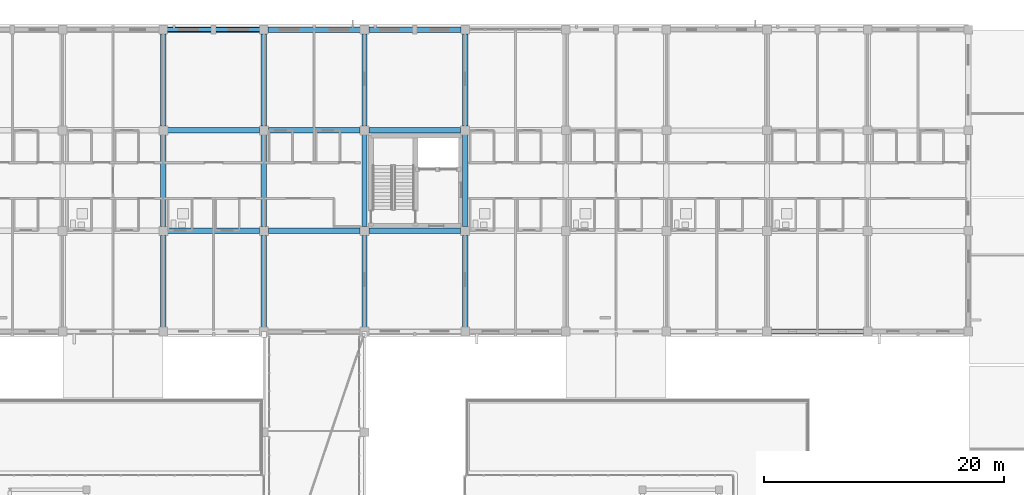
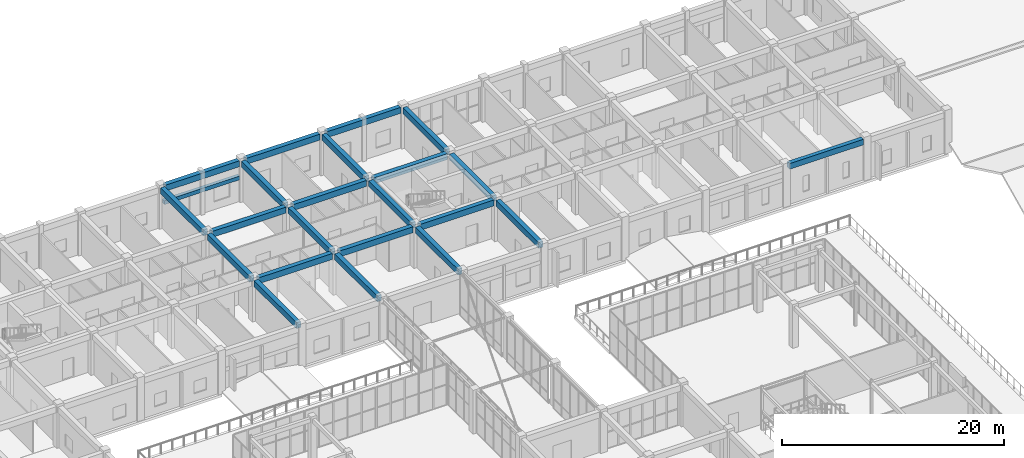
# One storey, part 86 of 158: 23 beams.
"""IFC4 building model written with IfcOpenShell, lengths in metres."""

from ifc_helpers import new_model, si_unit, direction, frame, origin, origin_2d, place, context, subcontext, project, spatial, rectangle, extrude, material, material_profile, profile_set, type_object, element, save


model = new_model("IFC4")

# Units and contexts
model_context = context("Model", 3, precision=1e-05, world=origin(), true_north=direction((0.0, 1.0)))
body_context = subcontext(model_context, "Body", "Model", "MODEL_VIEW")
ifc_project = project(units=[si_unit("LENGTHUNIT", "METRE"), si_unit("AREAUNIT", "SQUARE_METRE"), si_unit("VOLUMEUNIT", "CUBIC_METRE"), si_unit("PLANEANGLEUNIT", "RADIAN"), si_unit("MASSUNIT", "GRAM", prefix="KILO")], contexts=[model_context])

# Site, building, storey
site_placement = place(None, origin())
site = spatial("IfcSite", under=ifc_project, at=site_placement, CompositionType="ELEMENT")
building_placement = place(site_placement, origin())
building = spatial("IfcBuilding", under=site, at=building_placement, Name="Trelvath General Hospital", CompositionType="ELEMENT")
storey_placement = place(building_placement, frame((0.0, 0.0, 8.10009765625)))
storey = spatial("IfcBuildingStorey", under=building, at=storey_placement, Name="L02", CompositionType="ELEMENT", Elevation=8.10009765625)

# Beams
ifc_material_1 = material(Name="Concrete C35/45", Category="concrete")
ifc_material_profile_1 = material_profile(ifc_material_1, rectangle(XDim=0.419921875, YDim=0.6201171875, at=origin_2d()), Name="RCB420x620")
ifc_profile_set_1 = profile_set([ifc_material_profile_1], Name="Concrete C35/45")
beam_type_1 = type_object("IfcBeamType", Name="Beam RC420x620", PredefinedType="BEAM", material=ifc_profile_set_1)
beam_1_placement = place(storey_placement, frame((117.955078125, 92.39990234375, 4.2099609375), z_axis=(1.0, 0.0, 0.0), x_axis=(0.0, 1.0, 0.0)))
element("IfcBeam", 1, at=beam_1_placement, inside=storey, type_object=beam_type_1, Name="Grid Beam BX-214L", PredefinedType="BEAM", context=body_context, shape_type="SweptSolid", body=[
    extrude(rectangle(XDim=0.419921875, YDim=0.6201171875, at=origin_2d()), origin(), (0.0, 0.0, 1.0), 7.68994140625),
])
ifc_material_2 = material(Name="Concrete C35/45", Category="concrete")
ifc_material_profile_2 = material_profile(ifc_material_2, rectangle(XDim=0.449951171875, YDim=0.64990234375, at=origin_2d()), Name="RCB450x650")
ifc_profile_set_2 = profile_set([ifc_material_profile_2], Name="Concrete C35/45")
beam_type_2 = type_object("IfcBeamType", Name="Beam RC450x650", PredefinedType="BEAM", material=ifc_profile_set_2)
beam_2_placement = place(storey_placement, frame((67.199951171875, 92.7548828125, 4.19482421875), z_axis=(0.0, 1.0, 0.0), x_axis=(-1.0, 0.0, 0.0)))
element("IfcBeam", 2, at=beam_2_placement, inside=storey, type_object=beam_type_2, Name="Grid Beam BY-208L", PredefinedType="BEAM", context=body_context, shape_type="SweptSolid", body=[
    extrude(rectangle(XDim=0.449951171875, YDim=0.64990234375, at=origin_2d()), origin(), (0.0, 0.0, 1.0), 7.675048828125),
])
beam_3_placement = place(storey_placement, frame((67.199951171875, 101.169921875, 4.19482421875), z_axis=(0.0, 1.0, 0.0), x_axis=(-1.0, 0.0, 0.0)))
element("IfcBeam", 3, at=beam_3_placement, inside=storey, type_object=beam_type_2, Name="Grid Beam BY-208M", PredefinedType="BEAM", context=body_context, shape_type="SweptSolid", body=[
    extrude(rectangle(XDim=0.449951171875, YDim=0.64990234375, at=origin_2d()), origin(), (0.0, 0.0, 1.0), 7.66015625),
])
for number, where, z_axis, x_axis, name in (
    (4, (67.199951171875, 109.570068359375, 4.19482421875), (0.0, 1.0, 0.0), (-1.0, 0.0, 0.0), "Grid Beam BY-208N"),
    (5, (75.60009765625, 92.7548828125, 4.19482421875), (0.0, 1.0, 0.0), (-1.0, 0.0, 0.0), "Grid Beam BY-209L"),
):
    element("IfcBeam", number, at=place(storey_placement, frame(where, z_axis=z_axis, x_axis=x_axis)), inside=storey, type_object=beam_type_2, Name=name, PredefinedType="BEAM", context=body_context, shape_type="SweptSolid", body=[
        extrude(rectangle(XDim=0.449951171875, YDim=0.64990234375, at=origin_2d()), origin(), (0.0, 0.0, 1.0), 7.675048828125),
    ])
beam_4_placement = place(storey_placement, frame((75.60009765625, 101.169921875, 4.19482421875), z_axis=(0.0, 1.0, 0.0), x_axis=(-1.0, 0.0, 0.0)))
element("IfcBeam", 6, at=beam_4_placement, inside=storey, type_object=beam_type_2, Name="Grid Beam BY-209M", PredefinedType="BEAM", context=body_context, shape_type="SweptSolid", body=[
    extrude(rectangle(XDim=0.449951171875, YDim=0.64990234375, at=origin_2d()), origin(), (0.0, 0.0, 1.0), 7.66015625),
])
for number, where, z_axis, x_axis, name in (
    (7, (75.60009765625, 109.570068359375, 4.19482421875), (0.0, 1.0, 0.0), (-1.0, 0.0, 0.0), "Grid Beam BY-209N"),
    (8, (84.0, 92.7548828125, 4.19482421875), (0.0, 1.0, 0.0), (-1.0, 0.0, 0.0), "Grid Beam BY-210L"),
):
    element("IfcBeam", number, at=place(storey_placement, frame(where, z_axis=z_axis, x_axis=x_axis)), inside=storey, type_object=beam_type_2, Name=name, PredefinedType="BEAM", context=body_context, shape_type="SweptSolid", body=[
        extrude(rectangle(XDim=0.449951171875, YDim=0.64990234375, at=origin_2d()), origin(), (0.0, 0.0, 1.0), 7.675048828125),
    ])
beam_5_placement = place(storey_placement, frame((84.0, 101.169921875, 4.19482421875), z_axis=(0.0, 1.0, 0.0), x_axis=(-1.0, 0.0, 0.0)))
element("IfcBeam", 9, at=beam_5_placement, inside=storey, type_object=beam_type_2, Name="Grid Beam BY-210M", PredefinedType="BEAM", context=body_context, shape_type="SweptSolid", body=[
    extrude(rectangle(XDim=0.449951171875, YDim=0.64990234375, at=origin_2d()), origin(), (0.0, 0.0, 1.0), 7.66015625),
])
for number, where, z_axis, x_axis, name in (
    (10, (84.0, 109.570068359375, 4.19482421875), (0.0, 1.0, 0.0), (-1.0, 0.0, 0.0), "Grid Beam BY-210N"),
    (11, (92.39990234375, 92.7548828125, 4.19482421875), (0.0, 1.0, 0.0), (-1.0, 0.0, 0.0), "Grid Beam BY-211L"),
):
    element("IfcBeam", number, at=place(storey_placement, frame(where, z_axis=z_axis, x_axis=x_axis)), inside=storey, type_object=beam_type_2, Name=name, PredefinedType="BEAM", context=body_context, shape_type="SweptSolid", body=[
        extrude(rectangle(XDim=0.449951171875, YDim=0.64990234375, at=origin_2d()), origin(), (0.0, 0.0, 1.0), 7.675048828125),
    ])
beam_6_placement = place(storey_placement, frame((92.39990234375, 101.169921875, 4.19482421875), z_axis=(0.0, 1.0, 0.0), x_axis=(-1.0, 0.0, 0.0)))
element("IfcBeam", 12, at=beam_6_placement, inside=storey, type_object=beam_type_2, Name="Grid Beam BY-211M", PredefinedType="BEAM", context=body_context, shape_type="SweptSolid", body=[
    extrude(rectangle(XDim=0.449951171875, YDim=0.64990234375, at=origin_2d()), origin(), (0.0, 0.0, 1.0), 7.66015625),
])
beam_7_placement = place(storey_placement, frame((92.39990234375, 109.570068359375, 4.19482421875), z_axis=(0.0, 1.0, 0.0), x_axis=(-1.0, 0.0, 0.0)))
element("IfcBeam", 13, at=beam_7_placement, inside=storey, type_object=beam_type_2, Name="Grid Beam BY-211N", PredefinedType="BEAM", context=body_context, shape_type="SweptSolid", body=[
    extrude(rectangle(XDim=0.449951171875, YDim=0.64990234375, at=origin_2d()), origin(), (0.0, 0.0, 1.0), 7.675048828125),
])
ifc_material_3 = material(Name="Concrete C35/45", Category="concrete")
ifc_material_profile_3 = material_profile(ifc_material_3, rectangle(XDim=0.4599609375, YDim=0.659912109375, at=origin_2d()), Name="RCB460x660")
ifc_profile_set_3 = profile_set([ifc_material_profile_3], Name="Concrete C35/45")
beam_type_3 = type_object("IfcBeamType", Name="Beam RC460x660", PredefinedType="BEAM", material=ifc_profile_set_3)
for number, where, z_axis, x_axis, name in (
    (14, (67.570068359375, 100.800048828125, 4.18994140625), (1.0, 0.0, 0.0), (0.0, 1.0, 0.0), "Grid Beam BX-208M"),
    (15, (67.570068359375, 109.199951171875, 4.18994140625), (1.0, 0.0, 0.0), (0.0, 1.0, 0.0), "Grid Beam BX-208N"),
):
    element("IfcBeam", number, at=place(storey_placement, frame(where, z_axis=z_axis, x_axis=x_axis)), inside=storey, type_object=beam_type_3, Name=name, PredefinedType="BEAM", context=body_context, shape_type="SweptSolid", body=[
        extrude(rectangle(XDim=0.4599609375, YDim=0.659912109375, at=origin_2d()), origin(), (0.0, 0.0, 1.0), 7.659912109375),
    ])
beam_8_placement = place(storey_placement, frame((67.554931640625, 117.60009765625, 4.18994140625), z_axis=(1.0, 0.0, 0.0), x_axis=(0.0, 1.0, 0.0)))
element("IfcBeam", 16, at=beam_8_placement, inside=storey, type_object=beam_type_3, Name="Grid Beam BX-208O", PredefinedType="BEAM", context=body_context, shape_type="SweptSolid", body=[
    extrude(rectangle(XDim=0.4599609375, YDim=0.659912109375, at=origin_2d()), origin(), (0.0, 0.0, 1.0), 7.690185546875),
])
for number, where, z_axis, x_axis, name in (
    (17, (75.969970703125, 100.800048828125, 4.18994140625), (1.0, 0.0, 0.0), (0.0, 1.0, 0.0), "Grid Beam BX-209M"),
    (18, (75.969970703125, 109.199951171875, 4.18994140625), (1.0, 0.0, 0.0), (0.0, 1.0, 0.0), "Grid Beam BX-209N"),
):
    element("IfcBeam", number, at=place(storey_placement, frame(where, z_axis=z_axis, x_axis=x_axis)), inside=storey, type_object=beam_type_3, Name=name, PredefinedType="BEAM", context=body_context, shape_type="SweptSolid", body=[
        extrude(rectangle(XDim=0.4599609375, YDim=0.659912109375, at=origin_2d()), origin(), (0.0, 0.0, 1.0), 7.659912109375),
    ])
beam_9_placement = place(storey_placement, frame((75.955078125, 117.60009765625, 4.18994140625), z_axis=(1.0, 0.0, 0.0), x_axis=(0.0, 1.0, 0.0)))
element("IfcBeam", 19, at=beam_9_placement, inside=storey, type_object=beam_type_3, Name="Grid Beam BX-209O", PredefinedType="BEAM", context=body_context, shape_type="SweptSolid", body=[
    extrude(rectangle(XDim=0.4599609375, YDim=0.659912109375, at=origin_2d()), origin(), (0.0, 0.0, 1.0), 7.68994140625),
])
for number, where, z_axis, x_axis, name in (
    (20, (84.3701171875, 100.800048828125, 4.18994140625), (1.0, 0.0, 0.0), (0.0, 1.0, 0.0), "Grid Beam BX-210M"),
    (21, (84.3701171875, 109.199951171875, 4.18994140625), (1.0, 0.0, 0.0), (0.0, 1.0, 0.0), "Grid Beam BX-210N"),
):
    element("IfcBeam", number, at=place(storey_placement, frame(where, z_axis=z_axis, x_axis=x_axis)), inside=storey, type_object=beam_type_3, Name=name, PredefinedType="BEAM", context=body_context, shape_type="SweptSolid", body=[
        extrude(rectangle(XDim=0.4599609375, YDim=0.659912109375, at=origin_2d()), origin(), (0.0, 0.0, 1.0), 7.659912109375),
    ])
beam_10_placement = place(storey_placement, frame((84.35498046875, 117.60009765625, 4.18994140625), z_axis=(1.0, 0.0, 0.0), x_axis=(0.0, 1.0, 0.0)))
element("IfcBeam", 22, at=beam_10_placement, inside=storey, type_object=beam_type_3, Name="Grid Beam BX-210O", PredefinedType="BEAM", context=body_context, shape_type="SweptSolid", body=[
    extrude(rectangle(XDim=0.4599609375, YDim=0.659912109375, at=origin_2d()), origin(), (0.0, 0.0, 1.0), 7.68994140625),
])
ifc_material_4 = material(Name="Precast concrete C40/50", Category="concrete")
ifc_material_profile_4 = material_profile(ifc_material_4, rectangle(XDim=0.35009765625, YDim=0.419921875, at=origin_2d()), Name="PCL350x420")
ifc_profile_set_4 = profile_set([ifc_material_profile_4], Name="Precast concrete C40/50")
beam_type_4 = type_object("IfcBeamType", Name="Lintel PC350x420", PredefinedType="LINTEL", material=ifc_profile_set_4)
beam_11_placement = place(storey_placement, frame((67.47509765625, 117.60009765625, 2.58984375), z_axis=(1.0, 0.0, 0.0), x_axis=(0.0, 1.0, 0.0)))
element("IfcBeam", 23, at=beam_11_placement, inside=storey, type_object=beam_type_4, Name="Precast Window Brow Lintel L02-265", PredefinedType="LINTEL", context=body_context, shape_type="SweptSolid", body=[
    extrude(rectangle(XDim=0.35009765625, YDim=0.419921875, at=origin_2d()), origin(), (0.0, 0.0, 1.0), 7.849853515625),
])

save(model, "model.ifc")
